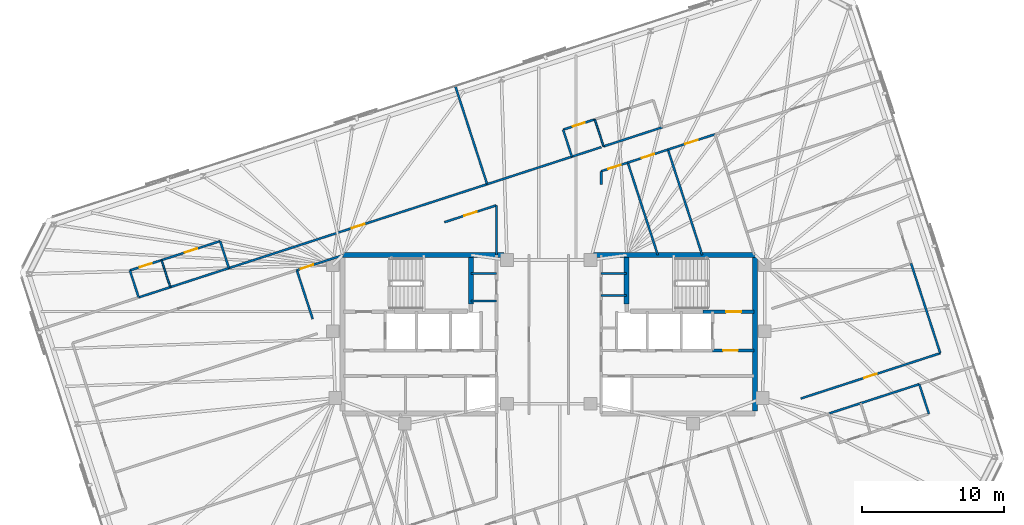
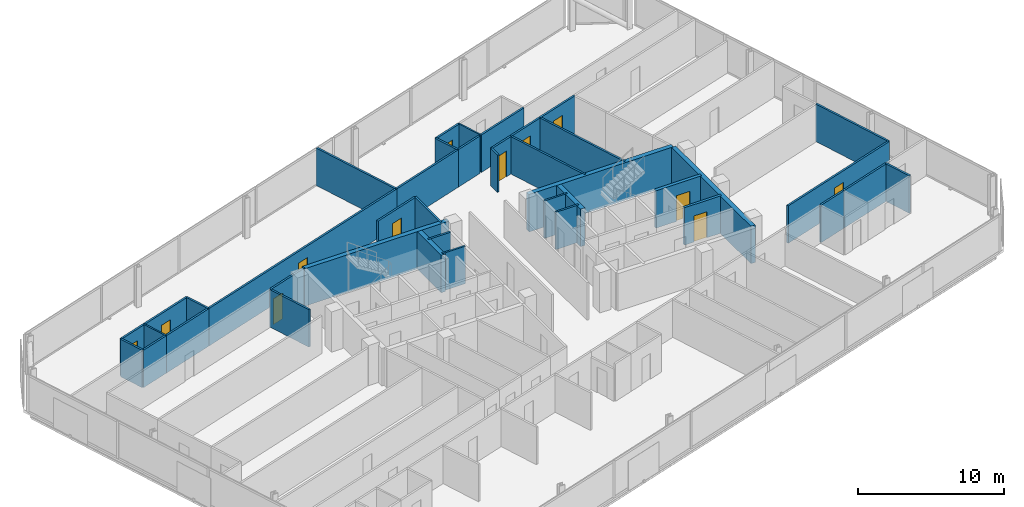
# One storey, part 16 of 19: 41 walls, 12 doors, 12 openings.
"""IFC4 building model written with IfcOpenShell, lengths in metres."""

from ifc_helpers import new_model, si_unit, direction, frame, frame_2d, origin, place, context, subcontext, project, spatial, rectangle, extrude, material, layer, layer_set, type_object, element, fill, save


model = new_model("IFC4")

# Units and contexts
model_context = context("Model", 3, precision=1e-05, world=origin(), true_north=direction((0.0, 1.0)))
body_context = subcontext(model_context, "Body", "Model", "MODEL_VIEW")
ifc_project = project(units=[si_unit("LENGTHUNIT", "METRE"), si_unit("AREAUNIT", "SQUARE_METRE"), si_unit("VOLUMEUNIT", "CUBIC_METRE"), si_unit("PLANEANGLEUNIT", "RADIAN"), si_unit("MASSUNIT", "GRAM", prefix="KILO")], contexts=[model_context])

# Site, building, storey
site_placement = place(None, origin())
site = spatial("IfcSite", under=ifc_project, at=site_placement, CompositionType="ELEMENT")
building_placement = place(site_placement, origin())
building = spatial("IfcBuilding", under=site, at=building_placement, Name="Menara Jurai Vektor", CompositionType="ELEMENT")
storey_placement = place(building_placement, frame((0.0, 0.0, 234.35009765625)))
storey = spatial("IfcBuildingStorey", under=building, at=storey_placement, Name="L62", CompositionType="ELEMENT", Elevation=234.35009765625)

# Wall, opening, door
ifc_material_1 = material(Name="Concrete C40/50", Category="concrete")
ifc_layer_1 = layer(ifc_material_1, 0.25)
ifc_layer_set_1 = layer_set([ifc_layer_1], Name="Concrete C40/50")
wall_type_1 = type_object("IfcWallType", Name="INT-WALL-CORE-250", PredefinedType="STANDARD", material=ifc_layer_set_1)
wall_1_placement = place(storey_placement, frame((10.89990234375, 1.60009765625, 0.0), z_axis=(0.0, 0.0, 1.0), x_axis=(1.0, 0.0, 0.0)))
wall_1 = element("IfcWall", 1, at=wall_1_placement, inside=storey, type_object=wall_type_1, Name="Interior Wall IW-250 L62", PredefinedType="STANDARD", context=body_context, shape_type="SweptSolid", body=[
    extrude(rectangle(XDim=3.60009765625, YDim=0.25, at=frame_2d((1.800048828125, 0.0))), origin(), (0.0, 0.0, 1.0), 3.125),
])
opening_1_placement = place(wall_1_placement, frame((1.6201171875, 0.0, 0.0)))
opening_1 = element("IfcOpeningElement", 2, at=opening_1_placement, cuts=wall_1, Name="Opening D-L62-ST2", PredefinedType="OPENING", context=body_context, shape_type="SweptSolid", body=[
    extrude(rectangle(XDim=1.050048828125, YDim=2.14990234375, at=frame_2d((0.52490234375, 1.074951171875))), frame((0.0, 0.135009765625, 0.0), z_axis=(0.0, -1.0, 0.0), x_axis=(1.0, 0.0, 0.0)), (0.0, 0.0, 1.0), 0.27001953125),
])
ifc_material_2 = material(Name="Fire-Rated Steel Door", Category="steel")
door_type_1 = type_object("IfcDoorType", Name="DR-STAIR-1050", OperationType="NOTDEFINED", PredefinedType="DOOR", material=ifc_material_2)
door_1_placement = place(opening_1_placement, origin())
door_1 = element("IfcDoor", 3, at=door_1_placement, inside=storey, type_object=door_type_1, Name="Exit Stair ST2 Door L62", OperationType="SINGLE_SWING_LEFT", OverallHeight=2.14990234375, OverallWidth=1.050048828125, PredefinedType="DOOR", context=body_context, shape_type="SweptSolid", body=[
    extrude(rectangle(XDim=1.050048828125, YDim=2.14990234375, at=frame_2d((0.52490234375, 1.074951171875))), frame((0.0, 0.02490234375, 0.0), z_axis=(0.0, -1.0, 0.0), x_axis=(1.0, 0.0, 0.0)), (0.0, 0.0, 1.0), 0.050048828125),
])
fill(opening_1, door_1)

wall_2_placement = place(storey_placement, frame((11.550048828125, -1.14990234375, 0.0), z_axis=(0.0, 0.0, 1.0), x_axis=(1.0, 0.0, 0.0)))
wall_2 = element("IfcWall", 4, at=wall_2_placement, inside=storey, type_object=wall_type_1, Name="Interior Wall IW-250 L62", PredefinedType="STANDARD", context=body_context, shape_type="SweptSolid", body=[
    extrude(rectangle(XDim=2.949951171875, YDim=0.199951171875, at=frame_2d((1.47509765625, 0.0))), origin(), (0.0, 0.0, 1.0), 3.125),
])
opening_2_placement = place(wall_2_placement, frame((0.75, 0.0, 0.0)))
opening_2 = element("IfcOpeningElement", 5, at=opening_2_placement, cuts=wall_2, Name="Opening D-L62-FFE", PredefinedType="OPENING", context=body_context, shape_type="SweptSolid", body=[
    extrude(rectangle(XDim=1.050048828125, YDim=2.179931640625, at=frame_2d((0.52490234375, 1.08984375))), frame((0.0, 0.10986328125, 0.0), z_axis=(0.0, -1.0, 0.0), x_axis=(1.0, 0.0, 0.0)), (0.0, 0.0, 1.0), 0.219970703125),
])
ifc_material_3 = material(Name="Fire-Rated Timber Door", Category="wood")
door_type_2 = type_object("IfcDoorType", Name="DR-LOBBY-1050", OperationType="NOTDEFINED", PredefinedType="DOOR", material=ifc_material_3)
door_2_placement = place(opening_2_placement, origin())
door_2 = element("IfcDoor", 6, at=door_2_placement, inside=storey, type_object=door_type_2, Name="Fire Lift Lobby Door E L62", OperationType="SINGLE_SWING_LEFT", OverallHeight=2.179931640625, OverallWidth=1.050048828125, PredefinedType="DOOR", context=body_context, shape_type="SweptSolid", body=[
    extrude(rectangle(XDim=1.050048828125, YDim=2.179931640625, at=frame_2d((0.52490234375, 1.08984375))), frame((0.0, 0.02490234375, 0.0), z_axis=(0.0, -1.0, 0.0), x_axis=(1.0, 0.0, 0.0)), (0.0, 0.0, 1.0), 0.050048828125),
])
fill(opening_2, door_2)

# Walls
ifc_material_4 = material(Name="Gypsum Fireboard Partition", Category="gypsum")
ifc_layer_2 = layer(ifc_material_4, 0.14990234375)
ifc_layer_set_2 = layer_set([ifc_layer_2], Name="Gypsum Fireboard Partition")
wall_type_2 = type_object("IfcWallType", Name="INT-WALL-CORR-150", PredefinedType="PARTITIONING", material=ifc_layer_set_2)
for number, where, z_axis, x_axis, name in (
    (7, (-5.5, 4.300048828125, 0.0), (0.0, 0.0, 1.0), (1.0, 0.0, 0.0), "Interior Wall IW-150 L62"),
    (8, (-5.5, 2.35009765625, 0.0), (0.0, 0.0, 1.0), (1.0, 0.0, 0.0), "Interior Wall IW-150 L62"),
    (9, (3.699951171875, 4.300048828125, 0.0), (0.0, 0.0, 1.0), (1.0, 0.0, 0.0), "Interior Wall IW-150 L62"),
    (10, (3.699951171875, 2.75, 0.0), (0.0, 0.0, 1.0), (1.0, 0.0, 0.0), "Interior Wall IW-150 L62"),
):
    element("IfcWall", number, at=place(storey_placement, frame(where, z_axis=z_axis, x_axis=x_axis)), inside=storey, type_object=wall_type_2, Name=name, PredefinedType="PARTITIONING", context=body_context, shape_type="SweptSolid", body=[
        extrude(rectangle(XDim=1.800048828125, YDim=0.14990234375, at=frame_2d((0.89990234375, 0.0))), origin(), (0.0, 0.0, 1.0), 3.125),
    ])

# Wall, opening, door
wall_3_placement = place(storey_placement, frame((-22.586181640625, 4.676513671875, 0.0), z_axis=(0.0, 0.0, 1.0), x_axis=(0.951057743275, 0.309013218095, 0.0)))
wall_3 = element("IfcWall", 11, at=wall_3_placement, inside=storey, type_object=wall_type_2, Name="Interior Wall IW-150 L62", PredefinedType="PARTITIONING", context=body_context, shape_type="SweptSolid", body=[
    extrude(rectangle(XDim=19.1708984375, YDim=0.14990234375, at=frame_2d((9.58544921875, 0.0))), origin(), (0.0, 0.0, 1.0), 3.125),
])
opening_3_placement = place(wall_3_placement, frame((9.110595703125, 0.0, 0.0)))
opening_3 = element("IfcOpeningElement", 12, at=opening_3_placement, cuts=wall_3, Name="Opening D62-10", PredefinedType="OPENING", context=body_context, shape_type="SweptSolid", body=[
    extrude(rectangle(XDim=0.949951171875, YDim=2.14990234375, at=frame_2d((0.47509765625, 1.074951171875))), frame((0.0, 0.0849609375, 0.0), z_axis=(0.0, -1.0, 0.0), x_axis=(1.0, 0.0, 0.0)), (0.0, 0.0, 1.0), 0.169921875),
])
ifc_material_5 = material(Name="Solid Core Timber Fire Door", Category="wood")
door_type_3 = type_object("IfcDoorType", Name="DR-ENTRY-950", OperationType="NOTDEFINED", PredefinedType="DOOR", material=ifc_material_5)
door_3_placement = place(opening_3_placement, origin())
door_3 = element("IfcDoor", 13, at=door_3_placement, inside=storey, type_object=door_type_3, Name="Interior Door D62-10", OperationType="SINGLE_SWING_RIGHT", OverallHeight=2.14990234375, OverallWidth=0.949951171875, PredefinedType="DOOR", context=body_context, shape_type="SweptSolid", body=[
    extrude(rectangle(XDim=0.949951171875, YDim=2.14990234375, at=frame_2d((0.47509765625, 1.074951171875))), frame((0.0, 0.02490234375, 0.0), z_axis=(0.0, -1.0, 0.0), x_axis=(1.0, 0.0, 0.0)), (0.0, 0.0, 1.0), 0.050048828125),
])
fill(opening_3, door_3)

# Walls
wall_4_placement = place(storey_placement, frame((-28.958251953125, 2.606201171875, 0.0), z_axis=(0.0, 0.0, 1.0), x_axis=(0.951076048914, 0.308956872689, 0.0)))
element("IfcWall", 14, at=wall_4_placement, inside=storey, type_object=wall_type_2, Name="Interior Wall IW-150 L62", PredefinedType="PARTITIONING", context=body_context, shape_type="SweptSolid", body=[
    extrude(rectangle(XDim=2.35009765625, YDim=0.14990234375, at=frame_2d((1.175048828125, 0.0))), origin(), (0.0, 0.0, 1.0), 3.125),
])
wall_5_placement = place(storey_placement, frame((-26.72314453125, 3.332275390625, 0.0), z_axis=(0.0, 0.0, 1.0), x_axis=(0.951052627573, 0.309028962374, 0.0)))
element("IfcWall", 15, at=wall_5_placement, inside=storey, type_object=wall_type_2, Name="Interior Wall IW-150 L62", PredefinedType="PARTITIONING", context=body_context, shape_type="SweptSolid", body=[
    extrude(rectangle(XDim=4.349853515625, YDim=0.14990234375, at=frame_2d((2.1748046875, 0.0))), origin(), (0.0, 0.0, 1.0), 3.125),
])
wall_6_placement = place(storey_placement, frame((-4.353515625, 10.6005859375, 0.0), z_axis=(0.0, 0.0, 1.0), x_axis=(0.951050896078, 0.30903429109, 0.0)))
element("IfcWall", 16, at=wall_6_placement, inside=storey, type_object=wall_type_2, Name="Interior Wall IW-150 L62", PredefinedType="PARTITIONING", context=body_context, shape_type="SweptSolid", body=[
    extrude(rectangle(XDim=6.2900390625, YDim=0.14990234375, at=frame_2d((3.14501953125, 0.0))), origin(), (0.0, 0.0, 1.0), 3.125),
])
wall_7_placement = place(storey_placement, frame((1.628662109375, 12.54443359375, 0.0), z_axis=(0.0, 0.0, 1.0), x_axis=(0.951087596826, 0.308921321963, 0.0)))
element("IfcWall", 17, at=wall_7_placement, inside=storey, type_object=wall_type_2, Name="Interior Wall IW-150 L62", PredefinedType="PARTITIONING", context=body_context, shape_type="SweptSolid", body=[
    extrude(rectangle(XDim=2.177978515625, YDim=0.14990234375, at=frame_2d((1.0888671875, 0.0))), origin(), (0.0, 0.0, 1.0), 3.125),
])
wall_8_placement = place(storey_placement, frame((3.86376953125, 13.2705078125, 0.0), z_axis=(0.0, 0.0, 1.0), x_axis=(0.951052627573, 0.309028962374, 0.0)))
element("IfcWall", 18, at=wall_8_placement, inside=storey, type_object=wall_type_2, Name="Interior Wall IW-150 L62", PredefinedType="PARTITIONING", context=body_context, shape_type="SweptSolid", body=[
    extrude(rectangle(XDim=4.349853515625, YDim=0.14990234375, at=frame_2d((2.1748046875, 0.0))), origin(), (0.0, 0.0, 1.0), 3.125),
])
wall_9_placement = place(storey_placement, frame((19.7802734375, -5.587890625, 0.0), z_axis=(0.0, 0.0, 1.0), x_axis=(0.951076048914, 0.308956872689, 0.0)))
element("IfcWall", 19, at=wall_9_placement, inside=storey, type_object=wall_type_2, Name="Interior Wall IW-150 L62", PredefinedType="PARTITIONING", context=body_context, shape_type="SweptSolid", body=[
    extrude(rectangle(XDim=2.35009765625, YDim=0.14990234375, at=frame_2d((1.175048828125, 0.0))), origin(), (0.0, 0.0, 1.0), 3.125),
])
wall_10_placement = place(storey_placement, frame((22.015380859375, -4.86181640625, 0.0), z_axis=(0.0, 0.0, 1.0), x_axis=(0.951052627573, 0.309028962374, 0.0)))
element("IfcWall", 20, at=wall_10_placement, inside=storey, type_object=wall_type_2, Name="Interior Wall IW-150 L62", PredefinedType="PARTITIONING", context=body_context, shape_type="SweptSolid", body=[
    extrude(rectangle(XDim=4.349853515625, YDim=0.14990234375, at=frame_2d((2.1748046875, 0.0))), origin(), (0.0, 0.0, 1.0), 3.125),
])
wall_11_placement = place(storey_placement, frame((3.7001953125, 10.586669921875, 0.0), z_axis=(0.0, 0.0, 1.0), x_axis=(-0.000789889169, 0.999999688038, 0.0)))
element("IfcWall", 21, at=wall_11_placement, inside=storey, type_object=wall_type_2, Name="Interior Wall IW-150 L62", PredefinedType="PARTITIONING", context=body_context, shape_type="SweptSolid", body=[
    extrude(rectangle(XDim=0.92724609375, YDim=0.14990234375, at=frame_2d((0.463623046875, 0.0))), origin(), (0.0, 0.0, 1.0), 3.125),
])

# Wall, opening, door
wall_12_placement = place(storey_placement, frame((3.699462890625, 11.513916015625, 0.0), z_axis=(0.0, 0.0, 1.0), x_axis=(0.951068617763, 0.308979747405, 0.0)))
wall_12 = element("IfcWall", 22, at=wall_12_placement, inside=storey, type_object=wall_type_2, Name="Interior Wall IW-150 L62", PredefinedType="PARTITIONING", context=body_context, shape_type="SweptSolid", body=[
    extrude(rectangle(XDim=1.972900390625, YDim=0.14990234375, at=frame_2d((0.986328125, 0.0))), origin(), (0.0, 0.0, 1.0), 3.125),
])
opening_4_placement = place(wall_12_placement, frame((0.526611328125, 0.0, 0.0)))
opening_4 = element("IfcOpeningElement", 23, at=opening_4_placement, cuts=wall_12, Name="Opening D62-40", PredefinedType="OPENING", context=body_context, shape_type="SweptSolid", body=[
    extrude(rectangle(XDim=0.919921875, YDim=2.14990234375, at=frame_2d((0.4599609375, 1.074951171875))), frame((0.0, 0.0849609375, 0.0), z_axis=(0.0, -1.0, 0.0), x_axis=(1.0, 0.0, 0.0)), (0.0, 0.0, 1.0), 0.169921875),
])
door_4_placement = place(opening_4_placement, origin())
door_4 = element("IfcDoor", 24, at=door_4_placement, inside=storey, type_object=door_type_3, Name="Interior Door D62-40", OperationType="SINGLE_SWING_RIGHT", OverallHeight=2.14990234375, OverallWidth=0.919921875, PredefinedType="DOOR", context=body_context, shape_type="SweptSolid", body=[
    extrude(rectangle(XDim=0.919921875, YDim=2.14990234375, at=frame_2d((0.4599609375, 1.074951171875))), frame((0.0, 0.02490234375, 0.0), z_axis=(0.0, -1.0, 0.0), x_axis=(1.0, 0.0, 0.0)), (0.0, 0.0, 1.0), 0.050048828125),
])
fill(opening_4, door_4)

wall_13_placement = place(storey_placement, frame((5.575927734375, 12.12353515625, 0.0), z_axis=(0.0, 0.0, 1.0), x_axis=(0.951049123732, 0.309039745419, 0.0)))
wall_13 = element("IfcWall", 25, at=wall_13_placement, inside=storey, type_object=wall_type_2, Name="Interior Wall IW-150 L62", PredefinedType="PARTITIONING", context=body_context, shape_type="SweptSolid", body=[
    extrude(rectangle(XDim=2.97900390625, YDim=0.14990234375, at=frame_2d((1.489501953125, 0.0))), origin(), (0.0, 0.0, 1.0), 3.125),
])
opening_5_placement = place(wall_13_placement, frame((1.029541015625, 0.0, 0.0)))
opening_5 = element("IfcOpeningElement", 26, at=opening_5_placement, cuts=wall_13, Name="Opening D62-41", PredefinedType="OPENING", context=body_context, shape_type="SweptSolid", body=[
    extrude(rectangle(XDim=0.919921875, YDim=2.14990234375, at=frame_2d((0.4599609375, 1.074951171875))), frame((0.0, 0.0849609375, 0.0), z_axis=(0.0, -1.0, 0.0), x_axis=(1.0, 0.0, 0.0)), (0.0, 0.0, 1.0), 0.169921875),
])
door_5_placement = place(opening_5_placement, origin())
door_5 = element("IfcDoor", 27, at=door_5_placement, inside=storey, type_object=door_type_3, Name="Interior Door D62-41", OperationType="SINGLE_SWING_LEFT", OverallHeight=2.14990234375, OverallWidth=0.919921875, PredefinedType="DOOR", context=body_context, shape_type="SweptSolid", body=[
    extrude(rectangle(XDim=0.919921875, YDim=2.14990234375, at=frame_2d((0.4599609375, 1.074951171875))), frame((0.0, 0.02490234375, 0.0), z_axis=(0.0, -1.0, 0.0), x_axis=(1.0, 0.0, 0.0)), (0.0, 0.0, 1.0), 0.050048828125),
])
fill(opening_5, door_5)

wall_14_placement = place(storey_placement, frame((8.4091796875, 13.044189453125, 0.0), z_axis=(0.0, 0.0, 1.0), x_axis=(0.951054104561, 0.309024416831, 0.0)))
wall_14 = element("IfcWall", 28, at=wall_14_placement, inside=storey, type_object=wall_type_2, Name="Interior Wall IW-150 L62", PredefinedType="PARTITIONING", context=body_context, shape_type="SweptSolid", body=[
    extrude(rectangle(XDim=3.491943359375, YDim=0.14990234375, at=frame_2d((1.74609375, 0.0))), origin(), (0.0, 0.0, 1.0), 3.125),
])
opening_6_placement = place(wall_14_placement, frame((1.285888671875, 0.0, 0.0)))
opening_6 = element("IfcOpeningElement", 29, at=opening_6_placement, cuts=wall_14, Name="Opening D62-42", PredefinedType="OPENING", context=body_context, shape_type="SweptSolid", body=[
    extrude(rectangle(XDim=0.919921875, YDim=2.14990234375, at=frame_2d((0.4599609375, 1.074951171875))), frame((0.0, 0.0849609375, 0.0), z_axis=(0.0, -1.0, 0.0), x_axis=(1.0, 0.0, 0.0)), (0.0, 0.0, 1.0), 0.169921875),
])
door_6_placement = place(opening_6_placement, origin())
door_6 = element("IfcDoor", 30, at=door_6_placement, inside=storey, type_object=door_type_3, Name="Interior Door D62-42", OperationType="SINGLE_SWING_RIGHT", OverallHeight=2.14990234375, OverallWidth=0.919921875, PredefinedType="DOOR", context=body_context, shape_type="SweptSolid", body=[
    extrude(rectangle(XDim=0.919921875, YDim=2.14990234375, at=frame_2d((0.4599609375, 1.074951171875))), frame((0.0, 0.02490234375, 0.0), z_axis=(0.0, -1.0, 0.0), x_axis=(1.0, 0.0, 0.0)), (0.0, 0.0, 1.0), 0.050048828125),
])
fill(opening_6, door_6)

wall_15_placement = place(storey_placement, frame((-17.79150390625, 4.531005859375, 0.0), z_axis=(0.0, 0.0, 1.0), x_axis=(0.951047546178, 0.309044600193, 0.0)))
wall_15 = element("IfcWall", 31, at=wall_15_placement, inside=storey, type_object=wall_type_2, Name="Interior Wall IW-150 L62", PredefinedType="PARTITIONING", context=body_context, shape_type="SweptSolid", body=[
    extrude(rectangle(XDim=3.4609375, YDim=0.14990234375, at=frame_2d((1.73046875, 0.0))), origin(), (0.0, 0.0, 1.0), 3.125),
])
opening_7_placement = place(wall_15_placement, frame((0.301513671875, 0.0, 0.0)))
opening_7 = element("IfcOpeningElement", 32, at=opening_7_placement, cuts=wall_15, Name="Opening D62-43", PredefinedType="OPENING", context=body_context, shape_type="SweptSolid", body=[
    extrude(rectangle(XDim=0.919921875, YDim=2.14990234375, at=frame_2d((0.4599609375, 1.074951171875))), frame((0.0, 0.0849609375, 0.0), z_axis=(0.0, -1.0, 0.0), x_axis=(1.0, 0.0, 0.0)), (0.0, 0.0, 1.0), 0.169921875),
])
door_7_placement = place(opening_7_placement, origin())
door_7 = element("IfcDoor", 33, at=door_7_placement, inside=storey, type_object=door_type_3, Name="Interior Door D62-43", OperationType="SINGLE_SWING_LEFT", OverallHeight=2.14990234375, OverallWidth=0.919921875, PredefinedType="DOOR", context=body_context, shape_type="SweptSolid", body=[
    extrude(rectangle(XDim=0.919921875, YDim=2.14990234375, at=frame_2d((0.4599609375, 1.074951171875))), frame((0.0, 0.02490234375, 0.0), z_axis=(0.0, -1.0, 0.0), x_axis=(1.0, 0.0, 0.0)), (0.0, 0.0, 1.0), 0.050048828125),
])
fill(opening_7, door_7)

wall_16_placement = place(storey_placement, frame((-7.37158203125, 7.91650390625, 0.0), z_axis=(0.0, 0.0, 1.0), x_axis=(0.951052654993, 0.309028877989, 0.0)))
wall_16 = element("IfcWall", 34, at=wall_16_placement, inside=storey, type_object=wall_type_2, Name="Interior Wall IW-150 L62", PredefinedType="PARTITIONING", context=body_context, shape_type="SweptSolid", body=[
    extrude(rectangle(XDim=3.86083984375, YDim=0.14990234375, at=frame_2d((1.930419921875, 0.0))), origin(), (0.0, 0.0, 1.0), 3.125),
])
opening_8_placement = place(wall_16_placement, frame((1.470458984375, 0.0, 0.0)))
opening_8 = element("IfcOpeningElement", 35, at=opening_8_placement, cuts=wall_16, Name="Opening D62-44", PredefinedType="OPENING", context=body_context, shape_type="SweptSolid", body=[
    extrude(rectangle(XDim=0.919921875, YDim=2.14990234375, at=frame_2d((0.4599609375, 1.074951171875))), frame((0.0, 0.0849609375, 0.0), z_axis=(0.0, -1.0, 0.0), x_axis=(1.0, 0.0, 0.0)), (0.0, 0.0, 1.0), 0.169921875),
])
door_8_placement = place(opening_8_placement, origin())
door_8 = element("IfcDoor", 36, at=door_8_placement, inside=storey, type_object=door_type_3, Name="Interior Door D62-44", OperationType="SINGLE_SWING_RIGHT", OverallHeight=2.14990234375, OverallWidth=0.919921875, PredefinedType="DOOR", context=body_context, shape_type="SweptSolid", body=[
    extrude(rectangle(XDim=0.919921875, YDim=2.14990234375, at=frame_2d((0.4599609375, 1.074951171875))), frame((0.0, 0.02490234375, 0.0), z_axis=(0.0, -1.0, 0.0), x_axis=(1.0, 0.0, 0.0)), (0.0, 0.0, 1.0), 0.050048828125),
])
fill(opening_8, door_8)

# Wall
wall_17_placement = place(storey_placement, frame((-3.7001953125, 5.599853515625, 0.0), z_axis=(0.0, 0.0, 1.0), x_axis=(0.000139120755, 0.999999990323, 0.0)))
element("IfcWall", 37, at=wall_17_placement, inside=storey, type_object=wall_type_2, Name="Interior Wall IW-150 L62", PredefinedType="PARTITIONING", context=body_context, shape_type="SweptSolid", body=[
    extrude(rectangle(XDim=3.509765625, YDim=0.14990234375, at=frame_2d((1.7548828125, 0.0))), origin(), (0.0, 0.0, 1.0), 3.125),
])

# Wall, opening, door
wall_18_placement = place(storey_placement, frame((17.791259765625, -4.53076171875, 0.0), z_axis=(0.0, 0.0, 1.0), x_axis=(0.951056769902, 0.309016213852, 0.0)))
wall_18 = element("IfcWall", 38, at=wall_18_placement, inside=storey, type_object=wall_type_2, Name="Interior Wall IW-150 L62", PredefinedType="PARTITIONING", context=body_context, shape_type="SweptSolid", body=[
    extrude(rectangle(XDim=10.35205078125, YDim=0.14990234375, at=frame_2d((5.176025390625, 0.0))), origin(), (0.0, 0.0, 1.0), 3.125),
])
opening_9_placement = place(wall_18_placement, frame((4.716064453125, 0.0, 0.0)))
opening_9 = element("IfcOpeningElement", 39, at=opening_9_placement, cuts=wall_18, Name="Opening D62-45", PredefinedType="OPENING", context=body_context, shape_type="SweptSolid", body=[
    extrude(rectangle(XDim=0.919921875, YDim=2.14990234375, at=frame_2d((0.4599609375, 1.074951171875))), frame((0.0, 0.0849609375, 0.0), z_axis=(0.0, -1.0, 0.0), x_axis=(1.0, 0.0, 0.0)), (0.0, 0.0, 1.0), 0.169921875),
])
door_9_placement = place(opening_9_placement, origin())
door_9 = element("IfcDoor", 40, at=door_9_placement, inside=storey, type_object=door_type_3, Name="Interior Door D62-45", OperationType="SINGLE_SWING_LEFT", OverallHeight=2.14990234375, OverallWidth=0.919921875, PredefinedType="DOOR", context=body_context, shape_type="SweptSolid", body=[
    extrude(rectangle(XDim=0.919921875, YDim=2.14990234375, at=frame_2d((0.4599609375, 1.074951171875))), frame((0.0, 0.02490234375, 0.0), z_axis=(0.0, -1.0, 0.0), x_axis=(1.0, 0.0, 0.0)), (0.0, 0.0, 1.0), 0.050048828125),
])
fill(opening_9, door_9)

# Walls
wall_19_placement = place(storey_placement, frame((27.63671875, -1.331787109375, 0.0), z_axis=(0.0, 0.0, 1.0), x_axis=(-0.309047166719, 0.951046712177, 0.0)))
element("IfcWall", 41, at=wall_19_placement, inside=storey, type_object=wall_type_2, Name="Interior Wall IW-150 L62", PredefinedType="PARTITIONING", context=body_context, shape_type="SweptSolid", body=[
    extrude(rectangle(XDim=6.6689453125, YDim=0.14990234375, at=frame_2d((3.33447265625, 0.0))), origin(), (0.0, 0.0, 1.0), 3.125),
])
wall_20_placement = place(storey_placement, frame((-28.958251953125, 2.606201171875, 0.0), z_axis=(0.0, 0.0, 1.0), x_axis=(-0.309058537449, 0.951043017129, 0.0)))
element("IfcWall", 42, at=wall_20_placement, inside=storey, type_object=wall_type_2, Name="Interior Wall IW-150 L62", PredefinedType="PARTITIONING", context=body_context, shape_type="SweptSolid", body=[
    extrude(rectangle(XDim=2.0048828125, YDim=0.14990234375, at=frame_2d((1.00244140625, 0.0))), origin(), (0.0, 0.0, 1.0), 3.125),
])

# Wall, opening, door
wall_21_placement = place(storey_placement, frame((-29.577880859375, 4.512939453125, 0.0), z_axis=(0.0, 0.0, 1.0), x_axis=(0.951076048914, 0.308956872689, 0.0)))
wall_21 = element("IfcWall", 43, at=wall_21_placement, inside=storey, type_object=wall_type_2, Name="Interior Wall IW-150 L62", PredefinedType="PARTITIONING", context=body_context, shape_type="SweptSolid", body=[
    extrude(rectangle(XDim=2.35009765625, YDim=0.14990234375, at=frame_2d((1.175048828125, 0.0))), origin(), (0.0, 0.0, 1.0), 3.125),
])
opening_10_placement = place(wall_21_placement, frame((0.735107421875, 0.0, 0.0)))
opening_10 = element("IfcOpeningElement", 44, at=opening_10_placement, cuts=wall_21, Name="Opening D62-11", PredefinedType="OPENING", context=body_context, shape_type="SweptSolid", body=[
    extrude(rectangle(XDim=0.8798828125, YDim=2.14990234375, at=frame_2d((0.43994140625, 1.074951171875))), frame((0.0, 0.0849609375, 0.0), z_axis=(0.0, -1.0, 0.0), x_axis=(1.0, 0.0, 0.0)), (0.0, 0.0, 1.0), 0.169921875),
])
ifc_material_6 = material(Name="Moisture-Resistant Timber Door", Category="wood")
door_type_4 = type_object("IfcDoorType", Name="DR-BATH-880", OperationType="NOTDEFINED", PredefinedType="DOOR", material=ifc_material_6)
door_10_placement = place(opening_10_placement, origin())
door_10 = element("IfcDoor", 45, at=door_10_placement, inside=storey, type_object=door_type_4, Name="Interior Door D62-11", OperationType="SINGLE_SWING_LEFT", OverallHeight=2.14990234375, OverallWidth=0.8798828125, PredefinedType="DOOR", context=body_context, shape_type="SweptSolid", body=[
    extrude(rectangle(XDim=0.8798828125, YDim=2.14990234375, at=frame_2d((0.43994140625, 1.074951171875))), frame((0.0, 0.02490234375, 0.0), z_axis=(0.0, -1.0, 0.0), x_axis=(1.0, 0.0, 0.0)), (0.0, 0.0, 1.0), 0.050048828125),
])
fill(opening_10, door_10)

wall_22_placement = place(storey_placement, frame((-27.3427734375, 5.239013671875, 0.0), z_axis=(0.0, 0.0, 1.0), x_axis=(0.951036130958, 0.309079726951, 0.0)))
wall_22 = element("IfcWall", 46, at=wall_22_placement, inside=storey, type_object=wall_type_2, Name="Interior Wall IW-150 L62", PredefinedType="PARTITIONING", context=body_context, shape_type="SweptSolid", body=[
    extrude(rectangle(XDim=4.349853515625, YDim=0.14990234375, at=frame_2d((2.1748046875, 0.0))), origin(), (0.0, 0.0, 1.0), 3.125),
])
opening_11_placement = place(wall_22_placement, frame((1.72509765625, 0.0, 0.0)))
opening_11 = element("IfcOpeningElement", 47, at=opening_11_placement, cuts=wall_22, Name="Opening D62-12", PredefinedType="OPENING", context=body_context, shape_type="SweptSolid", body=[
    extrude(rectangle(XDim=0.89990234375, YDim=2.14990234375, at=frame_2d((0.449951171875, 1.074951171875))), frame((0.0, 0.0849609375, 0.0), z_axis=(0.0, -1.0, 0.0), x_axis=(1.0, 0.0, 0.0)), (0.0, 0.0, 1.0), 0.169921875),
])
ifc_material_7 = material(Name="Acoustic Timber Interior Door", Category="wood")
door_type_5 = type_object("IfcDoorType", Name="DR-ROOM-900", OperationType="NOTDEFINED", PredefinedType="DOOR", material=ifc_material_7)
door_11_placement = place(opening_11_placement, origin())
door_11 = element("IfcDoor", 48, at=door_11_placement, inside=storey, type_object=door_type_5, Name="Interior Door D62-12", OperationType="SINGLE_SWING_RIGHT", OverallHeight=2.14990234375, OverallWidth=0.89990234375, PredefinedType="DOOR", context=body_context, shape_type="SweptSolid", body=[
    extrude(rectangle(XDim=0.89990234375, YDim=2.14990234375, at=frame_2d((0.449951171875, 1.074951171875))), frame((0.0, 0.02490234375, 0.0), z_axis=(0.0, -1.0, 0.0), x_axis=(1.0, 0.0, 0.0)), (0.0, 0.0, 1.0), 0.050048828125),
])
fill(opening_11, door_11)

# Walls
wall_23_placement = place(storey_placement, frame((-22.586181640625, 4.676513671875, 0.0), z_axis=(0.0, 0.0, 1.0), x_axis=(-0.309022749039, 0.951054646472, 0.0)))
element("IfcWall", 49, at=wall_23_placement, inside=storey, type_object=wall_type_2, Name="Interior Wall IW-150 L62", PredefinedType="PARTITIONING", context=body_context, shape_type="SweptSolid", body=[
    extrude(rectangle(XDim=2.005126953125, YDim=0.14990234375, at=frame_2d((1.00244140625, 0.0))), origin(), (0.0, 0.0, 1.0), 3.125),
])
wall_24_placement = place(storey_placement, frame((-4.353515625, 10.6005859375, 0.0), z_axis=(0.0, 0.0, 1.0), x_axis=(-0.308989064099, 0.951065590939, 0.0)))
element("IfcWall", 50, at=wall_24_placement, inside=storey, type_object=wall_type_2, Name="Interior Wall IW-150 L62", PredefinedType="PARTITIONING", context=body_context, shape_type="SweptSolid", body=[
    extrude(rectangle(XDim=7.2841796875, YDim=0.14990234375, at=frame_2d((3.64208984375, 0.0))), origin(), (0.0, 0.0, 1.0), 3.125),
])
wall_25_placement = place(storey_placement, frame((1.628662109375, 12.54443359375, 0.0), z_axis=(0.0, 0.0, 1.0), x_axis=(-0.309022749039, 0.951054646472, 0.0)))
element("IfcWall", 51, at=wall_25_placement, inside=storey, type_object=wall_type_2, Name="Interior Wall IW-150 L62", PredefinedType="PARTITIONING", context=body_context, shape_type="SweptSolid", body=[
    extrude(rectangle(XDim=2.005126953125, YDim=0.14990234375, at=frame_2d((1.00244140625, 0.0))), origin(), (0.0, 0.0, 1.0), 3.125),
])

# Wall, opening, door
wall_26_placement = place(storey_placement, frame((1.009033203125, 14.451416015625, 0.0), z_axis=(0.0, 0.0, 1.0), x_axis=(0.951076048914, 0.308956872689, 0.0)))
wall_26 = element("IfcWall", 52, at=wall_26_placement, inside=storey, type_object=wall_type_2, Name="Interior Wall IW-150 L62", PredefinedType="PARTITIONING", context=body_context, shape_type="SweptSolid", body=[
    extrude(rectangle(XDim=2.35009765625, YDim=0.14990234375, at=frame_2d((1.175048828125, 0.0))), origin(), (0.0, 0.0, 1.0), 3.125),
])
opening_12_placement = place(wall_26_placement, frame((0.735107421875, 0.0, 0.0)))
opening_12 = element("IfcOpeningElement", 53, at=opening_12_placement, cuts=wall_26, Name="Opening D62-14", PredefinedType="OPENING", context=body_context, shape_type="SweptSolid", body=[
    extrude(rectangle(XDim=0.8798828125, YDim=2.14990234375, at=frame_2d((0.43994140625, 1.074951171875))), frame((0.0, 0.0849609375, 0.0), z_axis=(0.0, -1.0, 0.0), x_axis=(1.0, 0.0, 0.0)), (0.0, 0.0, 1.0), 0.169921875),
])
door_12_placement = place(opening_12_placement, origin())
door_12 = element("IfcDoor", 54, at=door_12_placement, inside=storey, type_object=door_type_4, Name="Interior Door D62-14", OperationType="SINGLE_SWING_RIGHT", OverallHeight=2.14990234375, OverallWidth=0.8798828125, PredefinedType="DOOR", context=body_context, shape_type="SweptSolid", body=[
    extrude(rectangle(XDim=0.8798828125, YDim=2.14990234375, at=frame_2d((0.43994140625, 1.074951171875))), frame((0.0, 0.02490234375, 0.0), z_axis=(0.0, -1.0, 0.0), x_axis=(1.0, 0.0, 0.0)), (0.0, 0.0, 1.0), 0.050048828125),
])
fill(opening_12, door_12)

# Walls
wall_27_placement = place(storey_placement, frame((26.832275390625, -5.60986328125, 0.0), z_axis=(0.0, 0.0, 1.0), x_axis=(-0.309060979314, 0.951042223598, 0.0)))
element("IfcWall", 55, at=wall_27_placement, inside=storey, type_object=wall_type_2, Name="Interior Wall IW-150 L62", PredefinedType="PARTITIONING", context=body_context, shape_type="SweptSolid", body=[
    extrude(rectangle(XDim=2.199951171875, YDim=0.14990234375, at=frame_2d((1.10009765625, 0.0))), origin(), (0.0, 0.0, 1.0), 3.125),
])
wall_28_placement = place(storey_placement, frame((-16.67236328125, 1.086181640625, 0.0), z_axis=(0.0, 0.0, 1.0), x_axis=(-0.308979382511, 0.951068736308, 0.0)))
element("IfcWall", 56, at=wall_28_placement, inside=storey, type_object=wall_type_2, Name="Interior Wall IW-150 L62", PredefinedType="PARTITIONING", context=body_context, shape_type="SweptSolid", body=[
    extrude(rectangle(XDim=3.6220703125, YDim=0.14990234375, at=frame_2d((1.81103515625, 0.0))), origin(), (0.0, 0.0, 1.0), 3.125),
])
wall_29_placement = place(storey_placement, frame((7.69580078125, 5.599365234375, 0.0), z_axis=(0.0, 0.0, 1.0), x_axis=(-0.309022497646, 0.951054728157, 0.0)))
element("IfcWall", 57, at=wall_29_placement, inside=storey, type_object=wall_type_2, Name="Interior Wall IW-150 L62", PredefinedType="PARTITIONING", context=body_context, shape_type="SweptSolid", body=[
    extrude(rectangle(XDim=6.85986328125, YDim=0.14990234375, at=frame_2d((3.429931640625, 0.0))), origin(), (0.0, 0.0, 1.0), 3.125),
])
wall_30_placement = place(storey_placement, frame((10.827880859375, 5.60009765625, 0.0), z_axis=(0.0, 0.0, 1.0), x_axis=(-0.30901342663, 0.951057675519, 0.0)))
element("IfcWall", 58, at=wall_30_placement, inside=storey, type_object=wall_type_2, Name="Interior Wall IW-150 L62", PredefinedType="PARTITIONING", context=body_context, shape_type="SweptSolid", body=[
    extrude(rectangle(XDim=7.8271484375, YDim=0.14990234375, at=frame_2d((3.91357421875, 0.0))), origin(), (0.0, 0.0, 1.0), 3.125),
])
ifc_material_8 = material(Name="Gypsum Acoustic Stud Partition", Category="gypsum")
ifc_layer_3 = layer(ifc_material_8, 0.1201171875)
ifc_layer_set_3 = layer_set([ifc_layer_3], Name="Gypsum Acoustic Stud Partition")
wall_type_3 = type_object("IfcWallType", Name="INT-WALL-PART-120", PredefinedType="PARTITIONING", material=ifc_layer_set_3)
wall_31_placement = place(storey_placement, frame((-26.72314453125, 3.332275390625, 0.0), z_axis=(0.0, 0.0, 1.0), x_axis=(-0.309058537449, 0.951043017129, 0.0)))
element("IfcWall", 59, at=wall_31_placement, inside=storey, type_object=wall_type_3, Name="Interior Wall IW-120 L62", PredefinedType="PARTITIONING", context=body_context, shape_type="SweptSolid", body=[
    extrude(rectangle(XDim=2.0048828125, YDim=0.1201171875, at=frame_2d((1.00244140625, 0.0))), origin(), (0.0, 0.0, 1.0), 3.125),
])
wall_32_placement = place(storey_placement, frame((3.86376953125, 13.2705078125, 0.0), z_axis=(0.0, 0.0, 1.0), x_axis=(-0.309022749039, 0.951054646472, 0.0)))
element("IfcWall", 60, at=wall_32_placement, inside=storey, type_object=wall_type_3, Name="Interior Wall IW-120 L62", PredefinedType="PARTITIONING", context=body_context, shape_type="SweptSolid", body=[
    extrude(rectangle(XDim=2.005126953125, YDim=0.1201171875, at=frame_2d((1.00244140625, 0.0))), origin(), (0.0, 0.0, 1.0), 3.125),
])
ifc_material_9 = material(Name="Concrete C50/60", Category="concrete")
ifc_layer_4 = layer(ifc_material_9, 0.35009765625)
ifc_layer_set_4 = layer_set([ifc_layer_4], Name="Concrete C50/60")
wall_type_4 = type_object("IfcWallType", Name="STR-WALL-CORE350", PredefinedType="SHEAR", material=ifc_layer_set_4)
wall_33_placement = place(storey_placement, frame((-14.56005859375, 5.60009765625, 0.0), z_axis=(0.0, 0.0, 1.0), x_axis=(1.0, 0.0, 0.0)))
element("IfcWall", 61, at=wall_33_placement, inside=storey, type_object=wall_type_4, Name="Core Shear Wall CW-W-N L62", PredefinedType="SHEAR", context=body_context, shape_type="SweptSolid", body=[
    extrude(rectangle(XDim=11.41015625, YDim=0.35009765625, at=frame_2d((5.705078125, 0.0))), origin(), (0.0, 0.0, 1.0), 3.125),
])
wall_34_placement = place(storey_placement, frame((-5.5, 2.14990234375, 0.0), z_axis=(0.0, 0.0, 1.0), x_axis=(0.0, 1.0, 0.0)))
element("IfcWall", 62, at=wall_34_placement, inside=storey, type_object=wall_type_4, Name="Core Shear Wall CW-W-ST L62", PredefinedType="SHEAR", context=body_context, shape_type="SweptSolid", body=[
    extrude(rectangle(XDim=3.275146484375, YDim=0.35009765625, at=frame_2d((1.6376953125, 0.0))), origin(), (0.0, 0.0, 1.0), 3.125),
])
wall_35_placement = place(storey_placement, frame((3.14990234375, 5.60009765625, 0.0), z_axis=(0.0, 0.0, 1.0), x_axis=(1.0, 0.0, 0.0)))
element("IfcWall", 63, at=wall_35_placement, inside=storey, type_object=wall_type_4, Name="Core Shear Wall CW-E-N L62", PredefinedType="SHEAR", context=body_context, shape_type="SweptSolid", body=[
    extrude(rectangle(XDim=11.41015625, YDim=0.35009765625, at=frame_2d((5.705078125, 0.0))), origin(), (0.0, 0.0, 1.0), 3.125),
])
wall_36_placement = place(storey_placement, frame((14.56005859375, -5.425048828125, 0.0), z_axis=(0.0, 0.0, 1.0), x_axis=(0.0, 1.0, 0.0)))
element("IfcWall", 64, at=wall_36_placement, inside=storey, type_object=wall_type_4, Name="Core Shear Wall CW-E-E L62", PredefinedType="SHEAR", context=body_context, shape_type="SweptSolid", body=[
    extrude(rectangle(XDim=10.85009765625, YDim=0.35009765625, at=frame_2d((5.425048828125, 0.0))), origin(), (0.0, 0.0, 1.0), 3.125),
])
wall_37_placement = place(storey_placement, frame((5.5, 2.14990234375, 0.0), z_axis=(0.0, 0.0, 1.0), x_axis=(0.0, 1.0, 0.0)))
element("IfcWall", 65, at=wall_37_placement, inside=storey, type_object=wall_type_4, Name="Core Shear Wall CW-E-ST L62", PredefinedType="SHEAR", context=body_context, shape_type="SweptSolid", body=[
    extrude(rectangle(XDim=3.275146484375, YDim=0.35009765625, at=frame_2d((1.6376953125, 0.0))), origin(), (0.0, 0.0, 1.0), 3.125),
])

save(model, "model.ifc")
